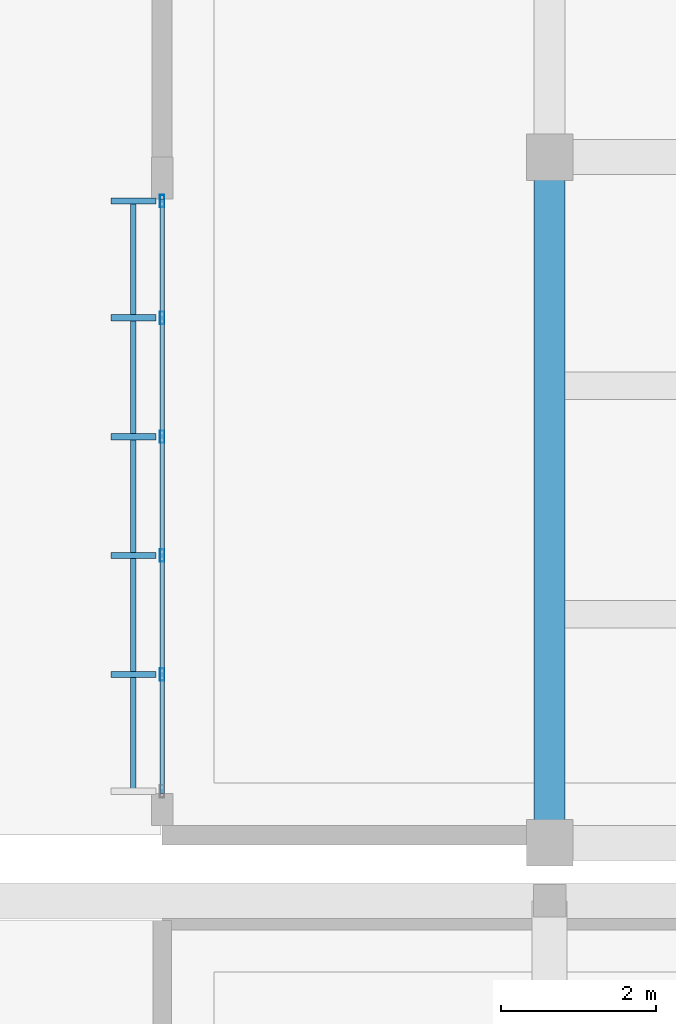
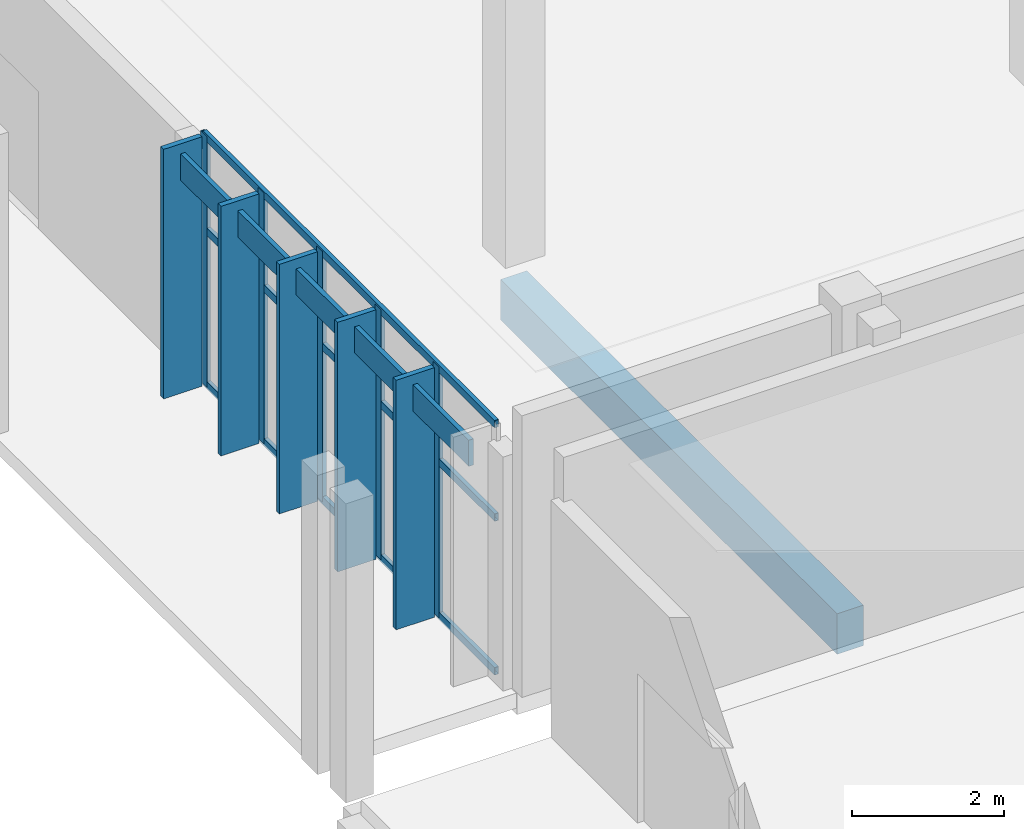
# One storey, part 60 of 151: 14 members, 1 beam, 1 element without a shape of its own.
"""IFC4 building model written with IfcOpenShell, lengths in metres."""

from ifc_helpers import new_model, si_unit, direction, frame, origin, origin_2d, place, context, subcontext, project, spatial, rectangle, hollow_rectangle, extrude, material, material_profile, profile_set, type_object, element, aggregate, save


model = new_model("IFC4")

# Units and contexts
model_context = context("Model", 3, precision=1e-05, world=origin(), true_north=direction((0.0, 1.0)))
body_context = subcontext(model_context, "Body", "Model", "MODEL_VIEW")
ifc_project = project(units=[si_unit("LENGTHUNIT", "METRE"), si_unit("AREAUNIT", "SQUARE_METRE"), si_unit("VOLUMEUNIT", "CUBIC_METRE"), si_unit("PLANEANGLEUNIT", "RADIAN"), si_unit("MASSUNIT", "GRAM", prefix="KILO")], contexts=[model_context])

# Site, building, storey
site_placement = place(None, origin())
site = spatial("IfcSite", under=ifc_project, at=site_placement, CompositionType="ELEMENT")
building_placement = place(site_placement, origin())
building = spatial("IfcBuilding", under=site, at=building_placement, Name="Chiffa Square Polytechnic", CompositionType="ELEMENT")
storey_placement = place(building_placement, origin())
storey = spatial("IfcBuildingStorey", under=building, at=storey_placement, Name="L00", CompositionType="ELEMENT", Elevation=0.0)

# Beam
ifc_material_1 = material(Name="Concrete C35/45", Category="concrete")
ifc_material_profile_1 = material_profile(ifc_material_1, rectangle(XDim=0.39990234375, YDim=0.64990234375, at=origin_2d()), Name="RC 400x650")
ifc_profile_set_1 = profile_set([ifc_material_profile_1], Name="Concrete C35/45")
beam_type = type_object("IfcBeamType", Name="BM-RC-400X650", PredefinedType="BEAM", material=ifc_profile_set_1)
beam_placement = place(storey_placement, frame((8.0, 94.949951171875, -0.675048828125), z_axis=(0.0, 1.0, 0.0), x_axis=(-1.0, 0.0, 0.0)))
element("IfcBeam", 1, at=beam_placement, inside=storey, type_object=beam_type, Name="Primary floor girder BM-V5-L00-Y-0080-0950", PredefinedType="BEAM", context=body_context, shape_type="SweptSolid", body=[
    extrude(rectangle(XDim=0.39990234375, YDim=0.64990234375, at=origin_2d()), origin(), (0.0, 0.0, 1.0), 8.85009765625),
])

# Curtain wall, members
ifc_material_2 = material(Name="Aluminium EN AW-6060 T66 and glulam shading", Category="wood")
curtain_wall_type = type_object("IfcCurtainWallType", Name="CW-VERT-480X380", PredefinedType="USERDEFINED", material=ifc_material_2)
curtain_wall_placement = place(storey_placement, origin())
curtain_wall = element("IfcCurtainWall", 2, at=curtain_wall_placement, inside=storey, type_object=curtain_wall_type, Name="Curtain wall CW-V5-L00-198", ObjectType="CURTAIN WALL", PredefinedType="USERDEFINED")
ifc_material_3 = material(Name="Aluminium EN AW-6060 T66", Category="aluminium")
ifc_material_profile_2 = material_profile(ifc_material_3, hollow_rectangle(XDim=0.06005859375, YDim=0.159912109375, WallThickness=0.00390625, at=origin_2d()), Name="ALU 60x160x4")
ifc_profile_set_2 = profile_set([ifc_material_profile_2], Name="Aluminium EN AW-6060 T66")
member_type_1 = type_object("IfcMemberType", Name="CWM-ALU-65X150", PredefinedType="MULLION", material=ifc_profile_set_2)
member_1_placement = place(storey_placement, frame((3.0, 103.235107421875, 0.0), z_axis=(0.0, 0.0, 1.0), x_axis=(1.0, 0.0, 0.0)))
member_1 = element("IfcMember", 3, at=member_1_placement, type_object=member_type_1, Name="Curtain wall mullion CW-V5-L00-198-M00", PredefinedType="MULLION", context=body_context, shape_type="SweptSolid", body=[
    extrude(hollow_rectangle(XDim=0.06005859375, YDim=0.159912109375, WallThickness=0.00390625, at=origin_2d()), origin(), (0.0, 0.0, 1.0), 4.02490234375),
])
member_2_placement = place(storey_placement, frame((3.0, 101.72607421875, 0.0), z_axis=(0.0, 0.0, 1.0), x_axis=(1.0, 0.0, 0.0)))
member_2 = element("IfcMember", 4, at=member_2_placement, type_object=member_type_1, Name="Curtain wall mullion CW-V5-L00-198-M01", PredefinedType="MULLION", context=body_context, shape_type="SweptSolid", body=[
    extrude(hollow_rectangle(XDim=0.06005859375, YDim=0.159912109375, WallThickness=0.00390625, at=origin_2d()), origin(), (0.0, 0.0, 1.0), 4.02490234375),
])
member_3_placement = place(storey_placement, frame((3.0, 100.19189453125, 0.0), z_axis=(0.0, 0.0, 1.0), x_axis=(1.0, 0.0, 0.0)))
member_3 = element("IfcMember", 5, at=member_3_placement, type_object=member_type_1, Name="Curtain wall mullion CW-V5-L00-198-M02", PredefinedType="MULLION", context=body_context, shape_type="SweptSolid", body=[
    extrude(hollow_rectangle(XDim=0.06005859375, YDim=0.159912109375, WallThickness=0.00390625, at=origin_2d()), origin(), (0.0, 0.0, 1.0), 4.02490234375),
])
member_4_placement = place(storey_placement, frame((3.0, 98.657958984375, 0.0), z_axis=(0.0, 0.0, 1.0), x_axis=(1.0, 0.0, 0.0)))
member_4 = element("IfcMember", 6, at=member_4_placement, type_object=member_type_1, Name="Curtain wall mullion CW-V5-L00-198-M03", PredefinedType="MULLION", context=body_context, shape_type="SweptSolid", body=[
    extrude(hollow_rectangle(XDim=0.06005859375, YDim=0.159912109375, WallThickness=0.00390625, at=origin_2d()), origin(), (0.0, 0.0, 1.0), 4.02490234375),
])
member_5_placement = place(storey_placement, frame((3.0, 97.1240234375, 0.0), z_axis=(0.0, 0.0, 1.0), x_axis=(1.0, 0.0, 0.0)))
member_5 = element("IfcMember", 7, at=member_5_placement, type_object=member_type_1, Name="Curtain wall mullion CW-V5-L00-198-M04", PredefinedType="MULLION", context=body_context, shape_type="SweptSolid", body=[
    extrude(hollow_rectangle(XDim=0.06005859375, YDim=0.159912109375, WallThickness=0.00390625, at=origin_2d()), origin(), (0.0, 0.0, 1.0), 4.02490234375),
])
ifc_material_4 = material(Name="Glulam GL28h", Category="wood")
ifc_material_profile_3 = material_profile(ifc_material_4, rectangle(XDim=0.080078125, YDim=0.580078125, at=origin_2d()), Name="GL28h 80x580")
ifc_profile_set_3 = profile_set([ifc_material_profile_3], Name="Glulam GL28h")
member_type_2 = type_object("IfcMemberType", Name="CWM-GL-80X580", PredefinedType="MULLION", material=ifc_profile_set_3)
member_6_placement = place(storey_placement, frame((2.6279296875, 103.235107421875, 0.010009765625), z_axis=(0.0, 0.0, 1.0), x_axis=(0.0, -1.0, 0.0)))
member_6 = element("IfcMember", 8, at=member_6_placement, type_object=member_type_2, Name="Exterior glulam solar fin CW-V5-L00-198-FN00", PredefinedType="MULLION", context=body_context, shape_type="SweptSolid", body=[
    extrude(rectangle(XDim=0.080078125, YDim=0.580078125, at=origin_2d()), origin(), (0.0, 0.0, 1.0), 4.0048828125),
])
member_7_placement = place(storey_placement, frame((2.6279296875, 101.72607421875, 0.010009765625), z_axis=(0.0, 0.0, 1.0), x_axis=(0.0, -1.0, 0.0)))
member_7 = element("IfcMember", 9, at=member_7_placement, type_object=member_type_2, Name="Exterior glulam solar fin CW-V5-L00-198-FN01", PredefinedType="MULLION", context=body_context, shape_type="SweptSolid", body=[
    extrude(rectangle(XDim=0.080078125, YDim=0.580078125, at=origin_2d()), origin(), (0.0, 0.0, 1.0), 4.0048828125),
])
member_8_placement = place(storey_placement, frame((2.6279296875, 100.19189453125, 0.010009765625), z_axis=(0.0, 0.0, 1.0), x_axis=(0.0, -1.0, 0.0)))
member_8 = element("IfcMember", 10, at=member_8_placement, type_object=member_type_2, Name="Exterior glulam solar fin CW-V5-L00-198-FN02", PredefinedType="MULLION", context=body_context, shape_type="SweptSolid", body=[
    extrude(rectangle(XDim=0.080078125, YDim=0.580078125, at=origin_2d()), origin(), (0.0, 0.0, 1.0), 4.0048828125),
])
member_9_placement = place(storey_placement, frame((2.6279296875, 98.657958984375, 0.010009765625), z_axis=(0.0, 0.0, 1.0), x_axis=(0.0, -1.0, 0.0)))
member_9 = element("IfcMember", 11, at=member_9_placement, type_object=member_type_2, Name="Exterior glulam solar fin CW-V5-L00-198-FN03", PredefinedType="MULLION", context=body_context, shape_type="SweptSolid", body=[
    extrude(rectangle(XDim=0.080078125, YDim=0.580078125, at=origin_2d()), origin(), (0.0, 0.0, 1.0), 4.0048828125),
])
member_10_placement = place(storey_placement, frame((2.6279296875, 97.1240234375, 0.010009765625), z_axis=(0.0, 0.0, 1.0), x_axis=(0.0, -1.0, 0.0)))
member_10 = element("IfcMember", 12, at=member_10_placement, type_object=member_type_2, Name="Exterior glulam solar fin CW-V5-L00-198-FN04", PredefinedType="MULLION", context=body_context, shape_type="SweptSolid", body=[
    extrude(rectangle(XDim=0.080078125, YDim=0.580078125, at=origin_2d()), origin(), (0.0, 0.0, 1.0), 4.0048828125),
])
ifc_material_profile_4 = material_profile(ifc_material_3, hollow_rectangle(XDim=0.06005859375, YDim=0.1201171875, WallThickness=0.00390625, at=origin_2d()), Name="ALU 60x120x4")
ifc_profile_set_4 = profile_set([ifc_material_profile_4], Name="Aluminium EN AW-6060 T66")
member_type_3 = type_object("IfcMemberType", Name="CWT-ALU-65X120", PredefinedType="USERDEFINED", material=ifc_profile_set_4)
member_11_placement = place(storey_placement, frame((3.0, 103.261962890625, 0.030029296875), z_axis=(0.0, -1.0, 0.0), x_axis=(1.0, 0.0, 0.0)))
member_11 = element("IfcMember", 13, at=member_11_placement, type_object=member_type_3, Name="Curtain wall transom CW-V5-L00-198-T01", ObjectType="TRANSOM", PredefinedType="USERDEFINED", context=body_context, shape_type="SweptSolid", body=[
    extrude(hollow_rectangle(XDim=0.06005859375, YDim=0.1201171875, WallThickness=0.00390625, at=origin_2d()), origin(), (0.0, 0.0, 1.0), 7.674072265625),
])
member_12_placement = place(storey_placement, frame((3.0, 103.261962890625, 2.49609375), z_axis=(0.0, -1.0, 0.0), x_axis=(1.0, 0.0, 0.0)))
member_12 = element("IfcMember", 14, at=member_12_placement, type_object=member_type_3, Name="Curtain wall transom CW-V5-L00-198-T02", ObjectType="TRANSOM", PredefinedType="USERDEFINED", context=body_context, shape_type="SweptSolid", body=[
    extrude(hollow_rectangle(XDim=0.06005859375, YDim=0.1201171875, WallThickness=0.00390625, at=origin_2d()), origin(), (0.0, 0.0, 1.0), 7.674072265625),
])
member_13_placement = place(storey_placement, frame((3.0, 103.261962890625, 3.9951171875), z_axis=(0.0, -1.0, 0.0), x_axis=(1.0, 0.0, 0.0)))
member_13 = element("IfcMember", 15, at=member_13_placement, type_object=member_type_3, Name="Curtain wall transom CW-V5-L00-198-T03", ObjectType="TRANSOM", PredefinedType="USERDEFINED", context=body_context, shape_type="SweptSolid", body=[
    extrude(hollow_rectangle(XDim=0.06005859375, YDim=0.1201171875, WallThickness=0.00390625, at=origin_2d()), origin(), (0.0, 0.0, 1.0), 7.674072265625),
])
ifc_material_profile_5 = material_profile(ifc_material_4, rectangle(XDim=0.070068359375, YDim=0.419921875, at=origin_2d()), Name="GL28h 70x420")
ifc_profile_set_5 = profile_set([ifc_material_profile_5], Name="Glulam GL28h")
member_type_4 = type_object("IfcMemberType", Name="CWT-GL-70X420", PredefinedType="USERDEFINED", material=ifc_profile_set_5)
member_14_placement = place(storey_placement, frame((2.6279296875, 103.235107421875, 3.64501953125), z_axis=(0.0, -1.0, 0.0), x_axis=(1.0, 0.0, 0.0)))
member_14 = element("IfcMember", 16, at=member_14_placement, type_object=member_type_4, Name="Exterior glulam brise-soleil CW-V5-L00-198-BS01", ObjectType="TRANSOM", PredefinedType="USERDEFINED", context=body_context, shape_type="SweptSolid", body=[
    extrude(rectangle(XDim=0.070068359375, YDim=0.419921875, at=origin_2d()), origin(), (0.0, 0.0, 1.0), 7.6201171875),
])
aggregate(curtain_wall, [member_1, member_6, member_2, member_7, member_3, member_8, member_4, member_9, member_5, member_10, member_11, member_12, member_13, member_14])

save(model, "model.ifc")
